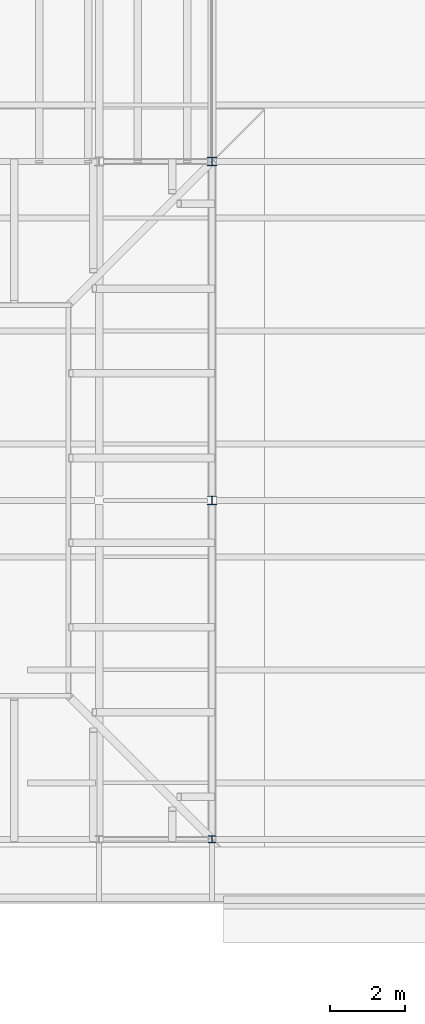
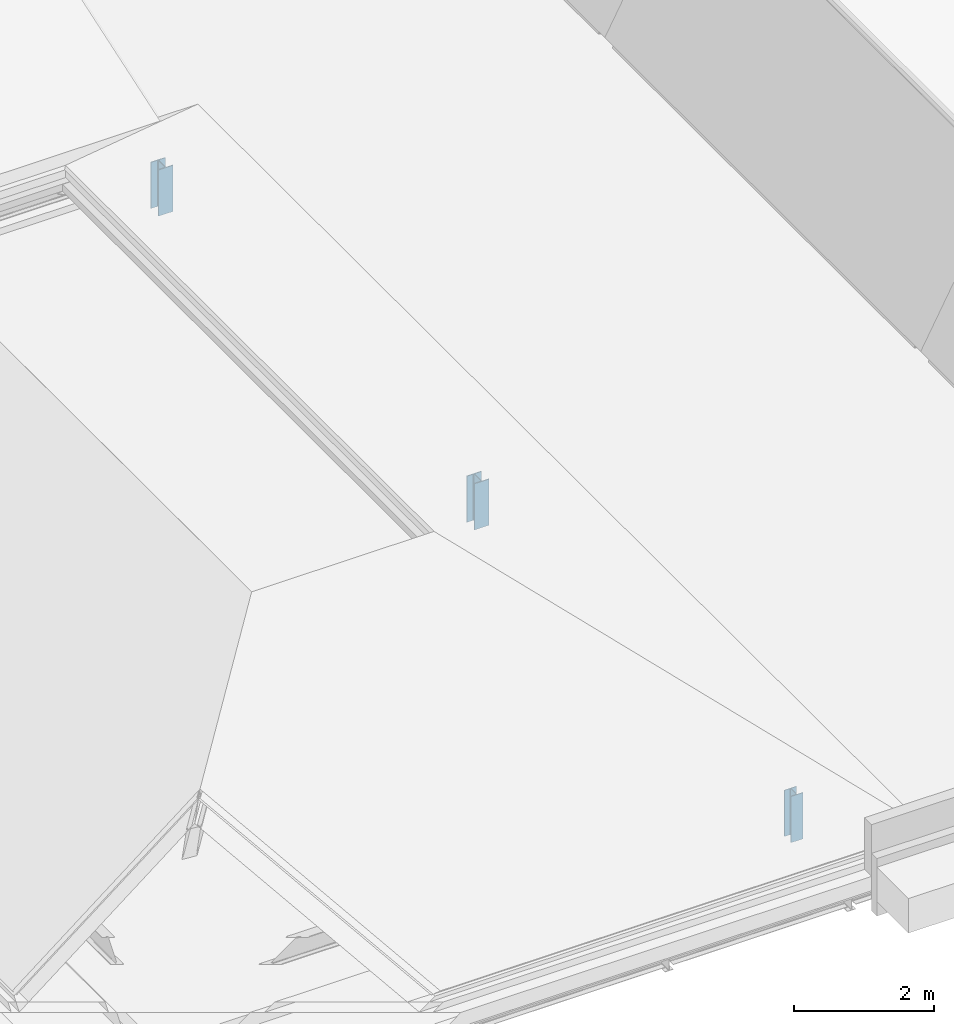
# One storey, part 12 of 121: 3 columns.
"""IFC4 building model written with IfcOpenShell, lengths in metres."""

from ifc_helpers import new_model, si_unit, direction, frame, origin, origin_2d, place, context, subcontext, project, spatial, i_section, extrude, material, material_profile, profile_set, type_object, element, save


model = new_model("IFC4")

# Units and contexts
model_context = context("Model", 3, precision=1e-05, world=origin(), true_north=direction((0.0, 1.0)))
body_context = subcontext(model_context, "Body", "Model", "MODEL_VIEW")
ifc_project = project(units=[si_unit("LENGTHUNIT", "METRE"), si_unit("AREAUNIT", "SQUARE_METRE"), si_unit("VOLUMEUNIT", "CUBIC_METRE"), si_unit("PLANEANGLEUNIT", "RADIAN"), si_unit("MASSUNIT", "GRAM", prefix="KILO")], contexts=[model_context])

# Site, building, storey
site_placement = place(None, origin())
site = spatial("IfcSite", under=ifc_project, at=site_placement, CompositionType="ELEMENT")
building_placement = place(site_placement, origin())
building = spatial("IfcBuilding", under=site, at=building_placement, Name="Golden Quay Civic Hall", CompositionType="ELEMENT")
storey_placement = place(building_placement, frame((0.0, 0.0, 18.60009765625)))
storey = spatial("IfcBuildingStorey", under=building, at=storey_placement, Name="L04", CompositionType="ELEMENT", Elevation=18.60009765625)

# Columns
ifc_material_1 = material(Name="Steel S355", Category="steel")
ifc_material_profile_1 = material_profile(ifc_material_1, i_section(OverallWidth=0.199951171875, OverallDepth=0.18994140625, WebThickness=0.006591796875, FlangeThickness=0.010009765625, FilletRadius=0.01806640625, at=origin_2d()), Name="HEA 200")
ifc_profile_set_1 = profile_set([ifc_material_profile_1], Name="Steel S355")
column_type_1 = type_object("IfcColumnType", Name="Steel roof post HEA 200", PredefinedType="COLUMN", material=ifc_profile_set_1)
column_placement = place(storey_placement, frame((64.5, 0.0, -0.25), z_axis=(0.0, 0.0, 1.0), x_axis=(1.0, 0.0, 0.0)))
element("IfcColumn", 1, at=column_placement, inside=storey, type_object=column_type_1, Name="Roof post 64.5/0", PredefinedType="COLUMN", context=body_context, shape_type="SweptSolid", body=[
    extrude(i_section(OverallWidth=0.199951171875, OverallDepth=0.18994140625, WebThickness=0.006591796875, FlangeThickness=0.010009765625, FilletRadius=0.01806640625, at=origin_2d()), origin(), (0.0, 0.0, 1.0), 0.804931640625),
])
ifc_material_2 = material(Name="Steel S355", Category="steel")
ifc_material_profile_2 = material_profile(ifc_material_2, i_section(OverallWidth=0.239990234375, OverallDepth=0.22998046875, WebThickness=0.007568359375, FlangeThickness=0.011962890625, FilletRadius=0.02099609375, at=origin_2d()), Name="HEA 240")
ifc_profile_set_2 = profile_set([ifc_material_profile_2], Name="Steel S355")
column_type_2 = type_object("IfcColumnType", Name="Steel roof post HEA 240", PredefinedType="COLUMN", material=ifc_profile_set_2)
for number, where, z_axis, x_axis, name in (
    (2, (64.5, 9.0, -0.25), (0.0, 0.0, 1.0), (1.0, 0.0, 0.0), "Roof post 64.5/9"),
    (3, (64.5, 18.0, -0.25), (0.0, 0.0, 1.0), (1.0, 0.0, 0.0), "Roof post 64.5/18"),
):
    element("IfcColumn", number, at=place(storey_placement, frame(where, z_axis=z_axis, x_axis=x_axis)), inside=storey, type_object=column_type_2, Name=name, PredefinedType="COLUMN", context=body_context, shape_type="SweptSolid", body=[
        extrude(i_section(OverallWidth=0.239990234375, OverallDepth=0.22998046875, WebThickness=0.007568359375, FlangeThickness=0.011962890625, FilletRadius=0.02099609375, at=origin_2d()), origin(), (0.0, 0.0, 1.0), 0.804931640625),
    ])

save(model, "model.ifc")
